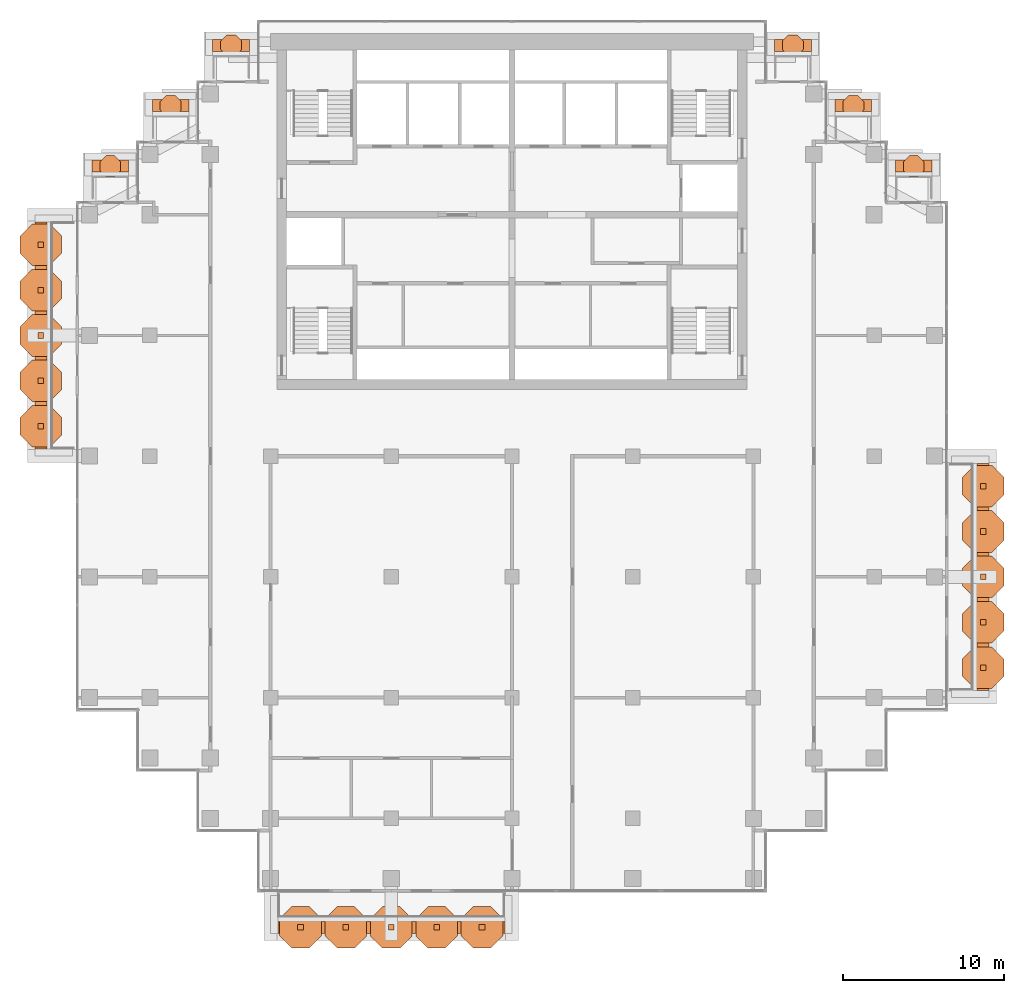
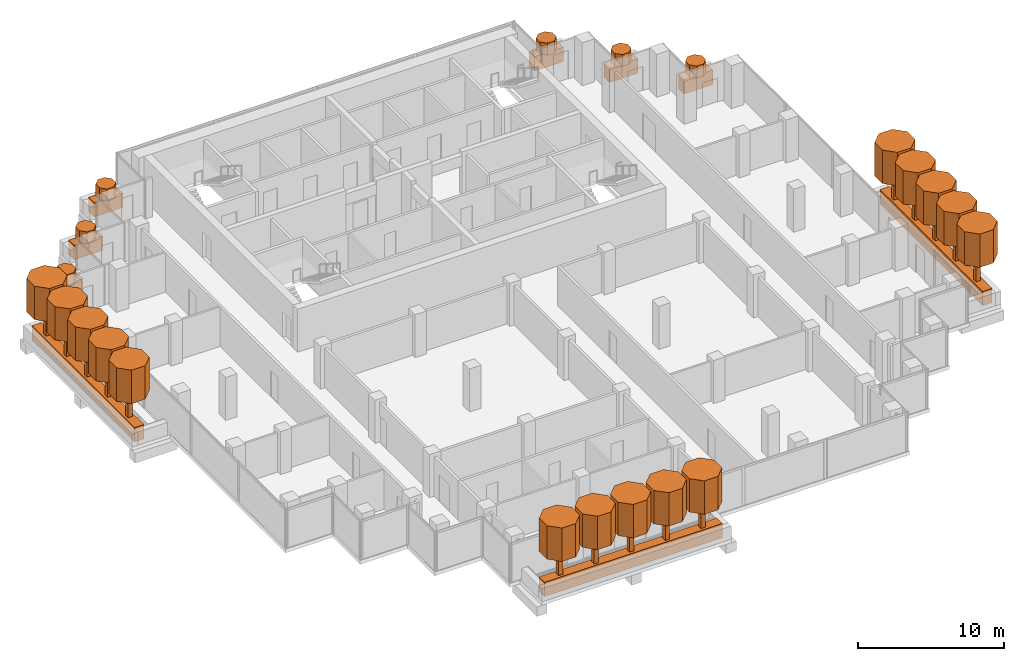
# One storey, part 17 of 17: 45 geographic elements.
"""IFC4 building model written with IfcOpenShell, lengths in metres."""

import ifcopenshell
import ifcopenshell.guid

model = None  # the IFC model being written
_history = None  # IfcOwnerHistory: only IFC2X3 demands one
_inside = {}  # id of a spatial element -> (the spatial element, [elements in it])
_under = {}  # id of a project, library or spatial element -> (it, [spatial elements below it])
_declared = {}  # id of a project -> (the project, [libraries it declares])
_typed = {}  # id of a type object -> (the type object, [elements of that type])
_made_of = {}  # id of a material, layer set ... -> (it, [elements and type objects made of it])


def new_model(schema):
    """Start an empty IFC model of exactly this schema.

    Asked for "IFC4X3", IfcOpenShell would pick the latest addendum, in which some entities
    have other attributes; the version numbers below select the first issue.
    IFC2X3 requires an IfcOwnerHistory on every rooted entity: one is made here for all.
    """
    global model, _history
    if schema == "IFC4X3":
        model = ifcopenshell.file(schema_version=(4, 3, 0, 0))
    else:
        model = ifcopenshell.file(schema=schema)
    _inside.clear()
    _under.clear()
    _declared.clear()
    _typed.clear()
    _made_of.clear()
    _history = None
    if model.schema == "IFC2X3":
        org = make("IfcOrganization", Name="unknown")
        user = make(
            "IfcPersonAndOrganization",
            ThePerson=make("IfcPerson", FamilyName="unknown"),
            TheOrganization=org,
        )
        app = make(
            "IfcApplication",
            ApplicationDeveloper=org,
            Version="unknown",
            ApplicationFullName="unknown",
            ApplicationIdentifier="unknown",
        )
        _history = make(
            "IfcOwnerHistory",
            OwningUser=user,
            OwningApplication=app,
            ChangeAction="ADDED",
            CreationDate=0,
        )
    return model


def make(cls, **values):
    """One entity of the class cls with the attributes given. An attribute that is None is left unset."""
    return model.create_entity(
        cls, **{name: value for name, value in values.items() if value is not None}
    )


def rooted(cls, **values):
    """An entity with a GlobalId (a new one), such as an element, a storey or a relation."""
    return make(cls, GlobalId=ifcopenshell.guid.new(), OwnerHistory=_history, **values)


def si_unit(unit_type, name, prefix=None):
    """IfcSIUnit, for example si_unit("LENGTHUNIT", "METRE", prefix="MILLI")."""
    return make("IfcSIUnit", UnitType=unit_type, Prefix=prefix, Name=name)


def assignment(units):
    """IfcUnitAssignment: the units of a project."""
    return None if units is None else make("IfcUnitAssignment", Units=units)


def point(xyz):
    """IfcCartesianPoint."""
    return None if xyz is None else make("IfcCartesianPoint", Coordinates=xyz)


def direction(xyz):
    """IfcDirection."""
    return None if xyz is None else make("IfcDirection", DirectionRatios=xyz)


def frame(location, z_axis=None, x_axis=None):
    """IfcAxis2Placement3D, a coordinate frame: its origin and axes. An axis left out is left unset."""
    return make(
        "IfcAxis2Placement3D",
        Location=point(location),
        Axis=direction(z_axis),
        RefDirection=direction(x_axis),
    )


def frame_2d(location, x_axis=None):
    """IfcAxis2Placement2D, a coordinate frame in the plane: its origin and x axis."""
    return make(
        "IfcAxis2Placement2D", Location=point(location), RefDirection=direction(x_axis)
    )


def origin():
    """The frame at (0, 0, 0) with its axes left unset."""
    return frame((0.0, 0.0, 0.0))


def origin_2d():
    """The frame at (0, 0) in the plane with its x axis left unset."""
    return frame_2d((0.0, 0.0))


def place(relative_to, where):
    """IfcLocalPlacement: puts the frame where relative to a parent placement (None: the world)."""
    return make(
        "IfcLocalPlacement", PlacementRelTo=relative_to, RelativePlacement=where
    )


def context(
    kind, dimensions, precision=None, world=None, true_north=None, identifier=None
):
    """IfcGeometricRepresentationContext, for example the 3D "Model" context."""
    return make(
        "IfcGeometricRepresentationContext",
        ContextIdentifier=identifier,
        ContextType=kind,
        CoordinateSpaceDimension=dimensions,
        Precision=precision,
        WorldCoordinateSystem=world,
        TrueNorth=true_north,
    )


def subcontext(parent, identifier, kind, view, scale=None):
    """IfcGeometricRepresentationSubContext, for example "Body" below "Model"."""
    return make(
        "IfcGeometricRepresentationSubContext",
        ContextIdentifier=identifier,
        ContextType=kind,
        ParentContext=parent,
        TargetScale=scale,
        TargetView=view,
    )


def project(units=None, contexts=None):
    """IfcProject with its units and contexts."""
    return rooted(
        "IfcProject",
        Name="project",
        RepresentationContexts=contexts,
        UnitsInContext=assignment(units),
    )


def spatial(cls, under=None, at=None, **own):
    """A site, building, storey or space (cls), placed at a placement, below another one or the project."""
    s = rooted(cls, ObjectPlacement=at, **own)
    if under is not None:
        _under.setdefault(under.id(), (under, []))[1].append(s)
    return s


def polyline(points):
    """IfcPolyline through the points."""
    return make("IfcPolyline", Points=[point(p) for p in points])


def profile(cls, at=None, kind="AREA", **sizes):
    """A parametric profile (cls). Its sizes go by their IFC names, for example OverallWidth=200.0."""
    return make(cls, ProfileType=kind, Position=at, **sizes)


def rectangle(**sizes):
    """IfcRectangleProfileDef."""
    return profile("IfcRectangleProfileDef", **sizes)


def outline(outer, holes=None, kind="AREA"):
    """IfcArbitraryClosedProfileDef: a profile drawn as a closed curve; with holes, ...WithVoids."""
    if holes is None:
        return make("IfcArbitraryClosedProfileDef", ProfileType=kind, OuterCurve=outer)
    return make(
        "IfcArbitraryProfileDefWithVoids",
        ProfileType=kind,
        OuterCurve=outer,
        InnerCurves=holes,
    )


def extrude(swept, where, along, depth):
    """IfcExtrudedAreaSolid: the profile swept, set in the frame where, extruded along a direction by depth."""
    return make(
        "IfcExtrudedAreaSolid",
        SweptArea=swept,
        Position=where,
        ExtrudedDirection=direction(along),
        Depth=depth,
    )


def shape(context_of_items, identifier, shape_type, items):
    """IfcShapeRepresentation: the items that make up one representation, for example the "Body"."""
    return make(
        "IfcShapeRepresentation",
        ContextOfItems=context_of_items,
        RepresentationIdentifier=identifier,
        RepresentationType=shape_type,
        Items=items,
    )


def material(Name=None, Category=None):
    """IfcMaterial."""
    return make("IfcMaterial", Name=Name, Category=Category)


def material_profile(
    of_material, cross_section, Name=None, Category=None, Priority=None
):
    """IfcMaterialProfile: a cross section and its material."""
    return make(
        "IfcMaterialProfile",
        Name=Name,
        Material=of_material,
        Profile=cross_section,
        Priority=Priority,
        Category=Category,
    )


def profile_set(profiles, Name=None, composite=None):
    """IfcMaterialProfileSet."""
    return make(
        "IfcMaterialProfileSet",
        Name=Name,
        MaterialProfiles=profiles,
        CompositeProfile=composite,
    )


def made_of(thing, what):
    """Note that an element or type object is made of a material, layer set ...; save() writes the relation."""
    if what is not None:
        _made_of.setdefault(what.id(), (what, []))[1].append(thing)
    return thing


def type_object(cls, material=None, **own):
    """A type object (cls), such as IfcWallType, which elements share."""
    return made_of(rooted(cls, **own), material)


def element(
    cls,
    number,
    at=None,
    inside=None,
    cuts=None,
    type_object=None,
    material=None,
    context=None,
    identifier="Body",
    shape_type=None,
    held_by="IfcProductDefinitionShape",
    body=None,
    shapes=None,
    **own,
):
    """One element of the class cls, such as IfcWall. Its Tag is "e" and its number.

    at: its placement. inside: the storey or other place that contains it. cuts: it is an
    opening in that element (IfcRelVoidsElement). A single representation is given by context,
    identifier, shape_type and body (its items); several are given by shapes. held_by: the class
    of the entity that holds the representations. save() writes the other relations.
    """
    e = rooted(cls, Tag="e%d" % number, ObjectPlacement=at, **own)
    if body is not None:
        shapes = [shape(context, identifier, shape_type, body)]
    if shapes is not None:
        e.Representation = make(held_by, Representations=shapes)
    if inside is not None:
        _inside.setdefault(inside.id(), (inside, []))[1].append(e)
    if cuts is not None:
        rooted(
            "IfcRelVoidsElement", RelatingBuildingElement=cuts, RelatedOpeningElement=e
        )
    if type_object is not None:
        _typed.setdefault(type_object.id(), (type_object, []))[1].append(e)
    return made_of(e, material)


def aggregate(whole, parts):
    """IfcRelAggregates: a whole, such as a stair, and the parts it consists of."""
    return rooted("IfcRelAggregates", RelatingObject=whole, RelatedObjects=parts)


def save(model, path):
    """Write the relations noted so far, then the file.

    IfcRelAggregates (storeys below a building ...), IfcRelContainedInSpatialStructure (elements
    in a storey), IfcRelDefinesByType, IfcRelAssociatesMaterial and IfcRelDeclares: one each for
    every whole, place, type object, material and project.
    """
    for whole, parts in _under.values():
        aggregate(whole, parts)
    for where, things in _inside.values():
        rooted(
            "IfcRelContainedInSpatialStructure",
            RelatedElements=things,
            RelatingStructure=where,
        )
    for kind, things in _typed.values():
        rooted("IfcRelDefinesByType", RelatedObjects=things, RelatingType=kind)
    for what, things in _made_of.values():
        rooted("IfcRelAssociatesMaterial", RelatedObjects=things, RelatingMaterial=what)
    for by, libraries in _declared.values():
        rooted("IfcRelDeclares", RelatingContext=by, RelatedDefinitions=libraries)
    model.write(path)


model = new_model("IFC4")

# Units and contexts
model_context = context("Model", 3, precision=1e-05, world=origin(), true_north=direction((0.0, 1.0)))
body_context = subcontext(model_context, "Body", "Model", "MODEL_VIEW")
ifc_project = project(units=[si_unit("LENGTHUNIT", "METRE"), si_unit("AREAUNIT", "SQUARE_METRE"), si_unit("VOLUMEUNIT", "CUBIC_METRE"), si_unit("PLANEANGLEUNIT", "RADIAN"), si_unit("MASSUNIT", "GRAM", prefix="KILO")], contexts=[model_context])

# Site, building, storey
site_placement = place(None, origin())
site = spatial("IfcSite", under=ifc_project, at=site_placement, CompositionType="ELEMENT")
building_placement = place(site_placement, origin())
building = spatial("IfcBuilding", under=site, at=building_placement, Name="Pilkhan Gate Tower", CompositionType="ELEMENT")
storey_placement = place(building_placement, frame((0.0, 0.0, 213.89990234375)))
storey = spatial("IfcBuildingStorey", under=building, at=storey_placement, Name="L55", CompositionType="ELEMENT", Elevation=213.89990234375)

# Geographic elements
ifc_material_1 = material(Name="Foliage")
ifc_material_profile_1 = material_profile(ifc_material_1, rectangle(XDim=0.75, YDim=1.199951171875, at=origin_2d()), Name="Bed 750x1200")
ifc_profile_set_1 = profile_set([ifc_material_profile_1], Name="Foliage")
geographic_element_type_1 = type_object("IfcGeographicElementType", Name="Planting bed PB1", PredefinedType="USERDEFINED", material=ifc_profile_set_1)
for number, where, z_axis, x_axis, name in (
    (1, (60.449951171875, 38.22509765625, 0.60009765625), (1.0, 0.0, 0.0), (0.0, 1.0, 0.0), "Balcony L55 S planting bed"),
    (2, (104.27490234375, 52.949951171875, 0.60009765625), (0.0, 1.0, 0.0), (-1.0, 0.0, 0.0), "Balcony L55 E planting bed"),
):
    element("IfcGeographicElement", number, at=place(storey_placement, frame(where, z_axis=z_axis, x_axis=x_axis)), inside=storey, type_object=geographic_element_type_1, Name=name, ObjectType="PLANTING BED", PredefinedType="USERDEFINED", context=body_context, shape_type="SweptSolid", body=[
        extrude(rectangle(XDim=0.75, YDim=1.199951171875, at=origin_2d()), origin(), (0.0, 0.0, 1.0), 14.10009765625),
    ])
for number, where, z_axis, x_axis, name in (
    (3, (56.39990234375, 93.02490234375, 0.60009765625), (1.0, 0.0, 0.0), (0.0, 1.0, 0.0), "Balcony L55 N planting bed"),
    (4, (91.300048828125, 93.02490234375, 0.60009765625), (1.0, 0.0, 0.0), (0.0, 1.0, 0.0), "Balcony L55 N planting bed"),
):
    element("IfcGeographicElement", number, at=place(storey_placement, frame(where, z_axis=z_axis, x_axis=x_axis)), inside=storey, type_object=geographic_element_type_1, Name=name, ObjectType="PLANTING BED", PredefinedType="USERDEFINED", context=body_context, shape_type="SweptSolid", body=[
        extrude(rectangle(XDim=0.75, YDim=1.199951171875, at=origin_2d()), origin(), (0.0, 0.0, 1.0), 2.300048828125),
    ])
for number, where, z_axis, x_axis, name in (
    (5, (52.64990234375, 89.27490234375, 0.60009765625), (1.0, 0.0, 0.0), (0.0, 1.0, 0.0), "Balcony L55 N planting bed"),
    (6, (48.89990234375, 85.52490234375, 0.60009765625), (1.0, 0.0, 0.0), (0.0, 1.0, 0.0), "Balcony L55 N planting bed"),
    (7, (95.070068359375, 89.27490234375, 0.60009765625), (1.0, 0.0, 0.0), (0.0, 1.0, 0.0), "Balcony L55 N planting bed"),
    (8, (98.820068359375, 85.52490234375, 0.60009765625), (1.0, 0.0, 0.0), (0.0, 1.0, 0.0), "Balcony L55 N planting bed"),
):
    element("IfcGeographicElement", number, at=place(storey_placement, frame(where, z_axis=z_axis, x_axis=x_axis)), inside=storey, type_object=geographic_element_type_1, Name=name, ObjectType="PLANTING BED", PredefinedType="USERDEFINED", context=body_context, shape_type="SweptSolid", body=[
        extrude(rectangle(XDim=0.75, YDim=1.199951171875, at=origin_2d()), origin(), (0.0, 0.0, 1.0), 2.280029296875),
    ])
geographic_element_placement = place(storey_placement, frame((45.72509765625, 67.949951171875, 0.60009765625), z_axis=(0.0, 1.0, 0.0), x_axis=(-1.0, 0.0, 0.0)))
element("IfcGeographicElement", 9, at=geographic_element_placement, inside=storey, type_object=geographic_element_type_1, Name="Balcony L55 W planting bed", ObjectType="PLANTING BED", PredefinedType="USERDEFINED", context=body_context, shape_type="SweptSolid", body=[
    extrude(rectangle(XDim=0.75, YDim=1.199951171875, at=origin_2d()), origin(), (0.0, 0.0, 1.0), 14.10009765625),
])
ifc_material_profile_2 = material_profile(ifc_material_1, outline(polyline([(0.646728515625, 0.267822265625), (0.267822265625, 0.646728515625), (-0.267822265625, 0.646728515625), (-0.646728515625, 0.267822265625), (-0.646728515625, -0.267822265625), (-0.267822265625, -0.646728515625), (0.267822265625, -0.646728515625), (0.646728515625, -0.267822265625), (0.646728515625, 0.267822265625)])), Name="Shrub D1.4")
ifc_profile_set_2 = profile_set([ifc_material_profile_2], Name="Foliage")
geographic_element_type_2 = type_object("IfcGeographicElementType", Name="Shrub SH07", PredefinedType="USERDEFINED", material=ifc_profile_set_2)
for number, where, z_axis, x_axis, name in (
    (10, (57.550048828125, 93.02490234375, 1.2001953125), (0.0, 0.0, 1.0), (1.0, 0.0, 0.0), "Shrub L55 N 1"),
    (11, (92.449951171875, 93.02490234375, 1.2001953125), (0.0, 0.0, 1.0), (1.0, 0.0, 0.0), "Shrub L55 N 1"),
    (12, (53.7900390625, 89.27490234375, 1.2001953125), (0.0, 0.0, 1.0), (1.0, 0.0, 0.0), "Shrub L55 N 1"),
    (13, (50.0400390625, 85.52490234375, 1.2001953125), (0.0, 0.0, 1.0), (1.0, 0.0, 0.0), "Shrub L55 N 1"),
    (14, (96.2099609375, 89.27490234375, 1.2001953125), (0.0, 0.0, 1.0), (1.0, 0.0, 0.0), "Shrub L55 N 1"),
    (15, (99.9599609375, 85.52490234375, 1.2001953125), (0.0, 0.0, 1.0), (1.0, 0.0, 0.0), "Shrub L55 N 1"),
):
    element("IfcGeographicElement", number, at=place(storey_placement, frame(where, z_axis=z_axis, x_axis=x_axis)), inside=storey, type_object=geographic_element_type_2, Name=name, ObjectType="SHRUB", PredefinedType="USERDEFINED", context=body_context, shape_type="SweptSolid", body=[
        extrude(outline(polyline([(0.646728515625, 0.267822265625), (0.267822265625, 0.646728515625), (-0.267822265625, 0.646728515625), (-0.646728515625, 0.267822265625), (-0.646728515625, -0.267822265625), (-0.267822265625, -0.646728515625), (0.267822265625, -0.646728515625), (0.646728515625, -0.267822265625), (0.646728515625, 0.267822265625)])), origin(), (0.0, 0.0, 1.0), 1.0),
    ])
ifc_material_profile_3 = material_profile(ifc_material_1, outline(polyline([(1.29345703125, 0.535888671875), (0.535888671875, 1.29345703125), (-0.535888671875, 1.29345703125), (-1.29345703125, 0.535888671875), (-1.29345703125, -0.535888671875), (-0.535888671875, -1.29345703125), (0.535888671875, -1.29345703125), (1.29345703125, -0.535888671875), (1.29345703125, 0.535888671875)])), Name="Canopy D2.8")
ifc_profile_set_3 = profile_set([ifc_material_profile_3], Name="Foliage")
geographic_element_type_3 = type_object("IfcGeographicElementType", Name="Tree canopy TC14", PredefinedType="USERDEFINED", material=ifc_profile_set_3)
for number, where, z_axis, x_axis, name in (
    (16, (61.860107421875, 38.22509765625, 3.2001953125), (0.0, 0.0, 1.0), (1.0, 0.0, 0.0), "Tree L55 S 1 canopy"),
    (17, (64.679931640625, 38.22509765625, 3.2001953125), (0.0, 0.0, 1.0), (1.0, 0.0, 0.0), "Tree L55 S 2 canopy"),
    (18, (67.5, 38.22509765625, 3.2001953125), (0.0, 0.0, 1.0), (1.0, 0.0, 0.0), "Tree L55 S 3 canopy"),
    (19, (70.320068359375, 38.22509765625, 3.2001953125), (0.0, 0.0, 1.0), (1.0, 0.0, 0.0), "Tree L55 S 4 canopy"),
    (20, (73.139892578125, 38.22509765625, 3.2001953125), (0.0, 0.0, 1.0), (1.0, 0.0, 0.0), "Tree L55 S 5 canopy"),
    (21, (104.27490234375, 54.360107421875, 3.2001953125), (0.0, 0.0, 1.0), (1.0, 0.0, 0.0), "Tree L55 E 1 canopy"),
    (22, (104.27490234375, 57.179931640625, 3.2001953125), (0.0, 0.0, 1.0), (1.0, 0.0, 0.0), "Tree L55 E 2 canopy"),
    (23, (104.27490234375, 60.0, 3.2001953125), (0.0, 0.0, 1.0), (1.0, 0.0, 0.0), "Tree L55 E 3 canopy"),
    (24, (104.27490234375, 62.820068359375, 3.2001953125), (0.0, 0.0, 1.0), (1.0, 0.0, 0.0), "Tree L55 E 4 canopy"),
    (25, (104.27490234375, 65.639892578125, 3.2001953125), (0.0, 0.0, 1.0), (1.0, 0.0, 0.0), "Tree L55 E 5 canopy"),
    (26, (45.72509765625, 69.360107421875, 3.2001953125), (0.0, 0.0, 1.0), (1.0, 0.0, 0.0), "Tree L55 W 1 canopy"),
    (27, (45.72509765625, 72.179931640625, 3.2001953125), (0.0, 0.0, 1.0), (1.0, 0.0, 0.0), "Tree L55 W 2 canopy"),
    (28, (45.72509765625, 75.0, 3.2001953125), (0.0, 0.0, 1.0), (1.0, 0.0, 0.0), "Tree L55 W 3 canopy"),
    (29, (45.72509765625, 77.820068359375, 3.2001953125), (0.0, 0.0, 1.0), (1.0, 0.0, 0.0), "Tree L55 W 4 canopy"),
    (30, (45.72509765625, 80.639892578125, 3.2001953125), (0.0, 0.0, 1.0), (1.0, 0.0, 0.0), "Tree L55 W 5 canopy"),
):
    element("IfcGeographicElement", number, at=place(storey_placement, frame(where, z_axis=z_axis, x_axis=x_axis)), inside=storey, type_object=geographic_element_type_3, Name=name, ObjectType="TREE", PredefinedType="USERDEFINED", context=body_context, shape_type="SweptSolid", body=[
        extrude(outline(polyline([(1.29345703125, 0.535888671875), (0.535888671875, 1.29345703125), (-0.535888671875, 1.29345703125), (-1.29345703125, 0.535888671875), (-1.29345703125, -0.535888671875), (-0.535888671875, -1.29345703125), (0.535888671875, -1.29345703125), (1.29345703125, -0.535888671875), (1.29345703125, 0.535888671875)])), origin(), (0.0, 0.0, 1.0), 2.7998046875),
    ])
ifc_material_2 = material(Name="Timber trunk", Category="wood")
geographic_element_type_4 = type_object("IfcGeographicElementType", Name="Tree trunk TT1", PredefinedType="USERDEFINED", material=ifc_material_2)
for number, where, z_axis, x_axis, name in (
    (31, (61.860107421875, 38.22509765625, 1.2001953125), (0.0, 0.0, 1.0), (1.0, 0.0, 0.0), "Tree L55 S 1 trunk"),
    (32, (64.679931640625, 38.22509765625, 1.2001953125), (0.0, 0.0, 1.0), (1.0, 0.0, 0.0), "Tree L55 S 2 trunk"),
    (33, (67.5, 38.22509765625, 1.2001953125), (0.0, 0.0, 1.0), (1.0, 0.0, 0.0), "Tree L55 S 3 trunk"),
    (34, (70.320068359375, 38.22509765625, 1.2001953125), (0.0, 0.0, 1.0), (1.0, 0.0, 0.0), "Tree L55 S 4 trunk"),
    (35, (73.139892578125, 38.22509765625, 1.2001953125), (0.0, 0.0, 1.0), (1.0, 0.0, 0.0), "Tree L55 S 5 trunk"),
    (36, (104.27490234375, 54.360107421875, 1.2001953125), (0.0, 0.0, 1.0), (1.0, 0.0, 0.0), "Tree L55 E 1 trunk"),
    (37, (104.27490234375, 57.179931640625, 1.2001953125), (0.0, 0.0, 1.0), (1.0, 0.0, 0.0), "Tree L55 E 2 trunk"),
    (38, (104.27490234375, 60.0, 1.2001953125), (0.0, 0.0, 1.0), (1.0, 0.0, 0.0), "Tree L55 E 3 trunk"),
    (39, (104.27490234375, 62.820068359375, 1.2001953125), (0.0, 0.0, 1.0), (1.0, 0.0, 0.0), "Tree L55 E 4 trunk"),
    (40, (104.27490234375, 65.639892578125, 1.2001953125), (0.0, 0.0, 1.0), (1.0, 0.0, 0.0), "Tree L55 E 5 trunk"),
    (41, (45.72509765625, 69.360107421875, 1.2001953125), (0.0, 0.0, 1.0), (1.0, 0.0, 0.0), "Tree L55 W 1 trunk"),
    (42, (45.72509765625, 72.179931640625, 1.2001953125), (0.0, 0.0, 1.0), (1.0, 0.0, 0.0), "Tree L55 W 2 trunk"),
    (43, (45.72509765625, 75.0, 1.2001953125), (0.0, 0.0, 1.0), (1.0, 0.0, 0.0), "Tree L55 W 3 trunk"),
    (44, (45.72509765625, 77.820068359375, 1.2001953125), (0.0, 0.0, 1.0), (1.0, 0.0, 0.0), "Tree L55 W 4 trunk"),
    (45, (45.72509765625, 80.639892578125, 1.2001953125), (0.0, 0.0, 1.0), (1.0, 0.0, 0.0), "Tree L55 W 5 trunk"),
):
    element("IfcGeographicElement", number, at=place(storey_placement, frame(where, z_axis=z_axis, x_axis=x_axis)), inside=storey, type_object=geographic_element_type_4, Name=name, ObjectType="TREE", PredefinedType="USERDEFINED", context=body_context, shape_type="SweptSolid", body=[
        extrude(rectangle(XDim=0.35009765625, YDim=0.35009765625, at=origin_2d()), origin(), (0.0, 0.0, 1.0), 2.0),
    ])

save(model, "model.ifc")
